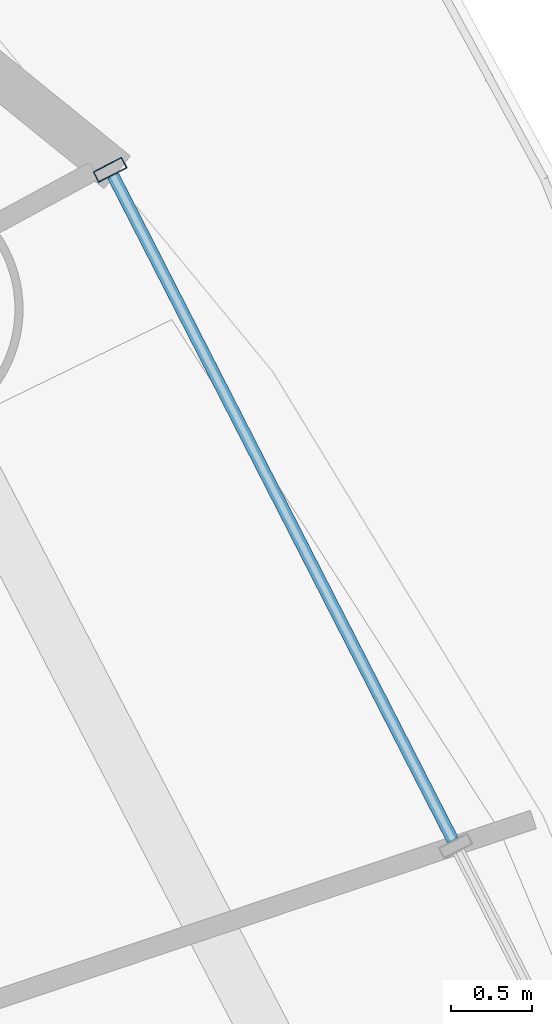
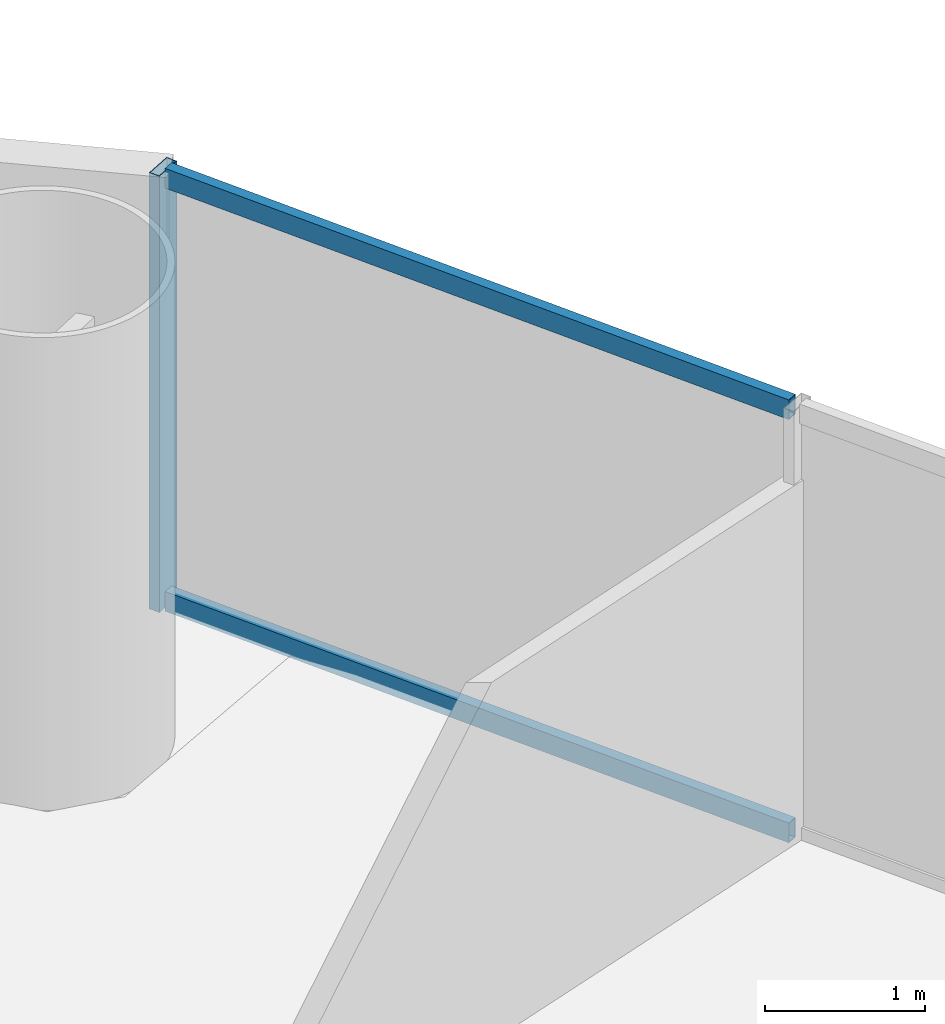
# One storey, part 20 of 29: 3 members, 1 element without a shape of its own.
"""IFC4 building model written with IfcOpenShell, lengths in metres."""

from ifc_helpers import new_model, si_unit, direction, frame, origin, origin_2d, place, context, subcontext, project, spatial, hollow_rectangle, extrude, source, transform, mapped, material, material_profile, profile_set, type_object, element, aggregate, save


model = new_model("IFC4")

# Units and contexts
model_context = context("Model", 3, precision=1e-05, world=origin(), true_north=direction((-0.2419218956, 0.970295726276)))
body_context = subcontext(model_context, "Body", "Model", "MODEL_VIEW")
ifc_project = project(units=[si_unit("LENGTHUNIT", "METRE"), si_unit("AREAUNIT", "SQUARE_METRE"), si_unit("VOLUMEUNIT", "CUBIC_METRE"), si_unit("PLANEANGLEUNIT", "RADIAN"), si_unit("MASSUNIT", "GRAM", prefix="KILO")], contexts=[model_context])

# Site, building, storey
site_placement = place(None, origin())
site = spatial("IfcSite", under=ifc_project, at=site_placement, CompositionType="ELEMENT")
building_placement = place(site_placement, origin())
building = spatial("IfcBuilding", under=site, at=building_placement, Name="Cobrevalo Terracotta Tower", CompositionType="ELEMENT")
storey_placement = place(building_placement, frame((0.0, 0.0, 52.800048828125)))
storey = spatial("IfcBuildingStorey", under=building, at=storey_placement, Name="L13", CompositionType="ELEMENT", Elevation=52.800048828125)

# Curtain wall, members
ifc_material = material(Name="Anodized aluminium", Category="aluminium")
curtain_wall_type = type_object("IfcCurtainWallType", Name="Lower-tower unitised acoustic low-E curtain wall CW-U1", PredefinedType="NOTDEFINED", material=ifc_material)
curtain_wall_placement = place(storey_placement, origin())
curtain_wall = element("IfcCurtainWall", 1, at=curtain_wall_placement, inside=storey, type_object=curtain_wall_type, Name="L13 curtain wall CW-L13-S01", PredefinedType="NOTDEFINED")
ifc_material_profile_1 = material_profile(ifc_material, hollow_rectangle(XDim=0.074951171875, YDim=0.199951171875, WallThickness=0.0048828125, at=origin_2d()), Name="CWM 75x200")
ifc_profile_set_1 = profile_set([ifc_material_profile_1], Name="Anodized aluminium")
member_type_1 = type_object("IfcMemberType", Name="Lower/mid tower unitised mullion 75x200", PredefinedType="MULLION", material=ifc_profile_set_1)
shared_shape_1 = source(origin(), body_context, "Body", "SweptSolid", [
    extrude(hollow_rectangle(XDim=0.074951171875, YDim=0.199951171875, WallThickness=0.0048828125, at=origin_2d()), origin(), (0.0, 0.0, 1.0), 3.320068359375),
])
member_1_placement = place(storey_placement, frame((62.10595703125, 39.8037109375, 0.0), z_axis=(0.0, 0.0, 1.0), x_axis=(-0.455234136597, 0.890371765543, 0.0)))
member_1 = element("IfcMember", 2, at=member_1_placement, type_object=member_type_1, Name="CW-L13-S01 vertical mullion 03", PredefinedType="MULLION", context=body_context, shape_type="MappedRepresentation", body=[
    mapped(shared_shape_1, transform((0.0, 0.0, 0.0), scale=1.0)),
])
ifc_material_profile_2 = material_profile(ifc_material, hollow_rectangle(XDim=0.074951171875, YDim=0.14990234375, WallThickness=0.00439453125, at=origin_2d()), Name="CWT 75x150")
ifc_profile_set_2 = profile_set([ifc_material_profile_2], Name="Anodized aluminium")
member_type_2 = type_object("IfcMemberType", Name="Tower unitised aluminium transom 75x150", PredefinedType="USERDEFINED", material=ifc_profile_set_2)
shared_shape_2 = source(origin(), body_context, "Body", "SweptSolid", [
    extrude(hollow_rectangle(XDim=0.074951171875, YDim=0.14990234375, WallThickness=0.00439453125, at=origin_2d()), origin(), (0.0, 0.0, 1.0), 4.63134765625),
])
member_2_placement = place(storey_placement, frame((64.232421875, 35.64453125, 0.050048828125), z_axis=(-0.455250376494, 0.890363462133, 0.0), x_axis=(-0.890363462133, -0.455250376494, 0.0)))
member_2 = element("IfcMember", 3, at=member_2_placement, type_object=member_type_2, Name="CW-L13-S01 transom B02-T1", ObjectType="TRANSOM", PredefinedType="USERDEFINED", context=body_context, shape_type="MappedRepresentation", body=[
    mapped(shared_shape_2, transform((0.0, 0.0, 0.0), scale=1.0)),
])
member_3_placement = place(storey_placement, frame((64.232421875, 35.64453125, 3.27001953125), z_axis=(-0.455250376494, 0.890363462133, 0.0), x_axis=(-0.890363462133, -0.455250376494, 0.0)))
member_3 = element("IfcMember", 4, at=member_3_placement, type_object=member_type_2, Name="CW-L13-S01 transom B02-T2", ObjectType="TRANSOM", PredefinedType="USERDEFINED", context=body_context, shape_type="MappedRepresentation", body=[
    mapped(shared_shape_2, transform((0.0, 0.0, 0.0), scale=1.0)),
])
aggregate(curtain_wall, [member_1, member_2, member_3])

save(model, "model.ifc")
